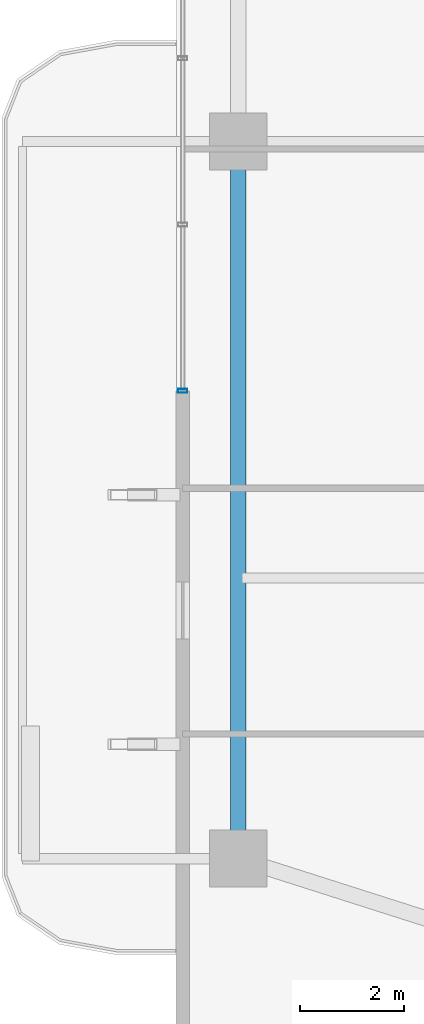
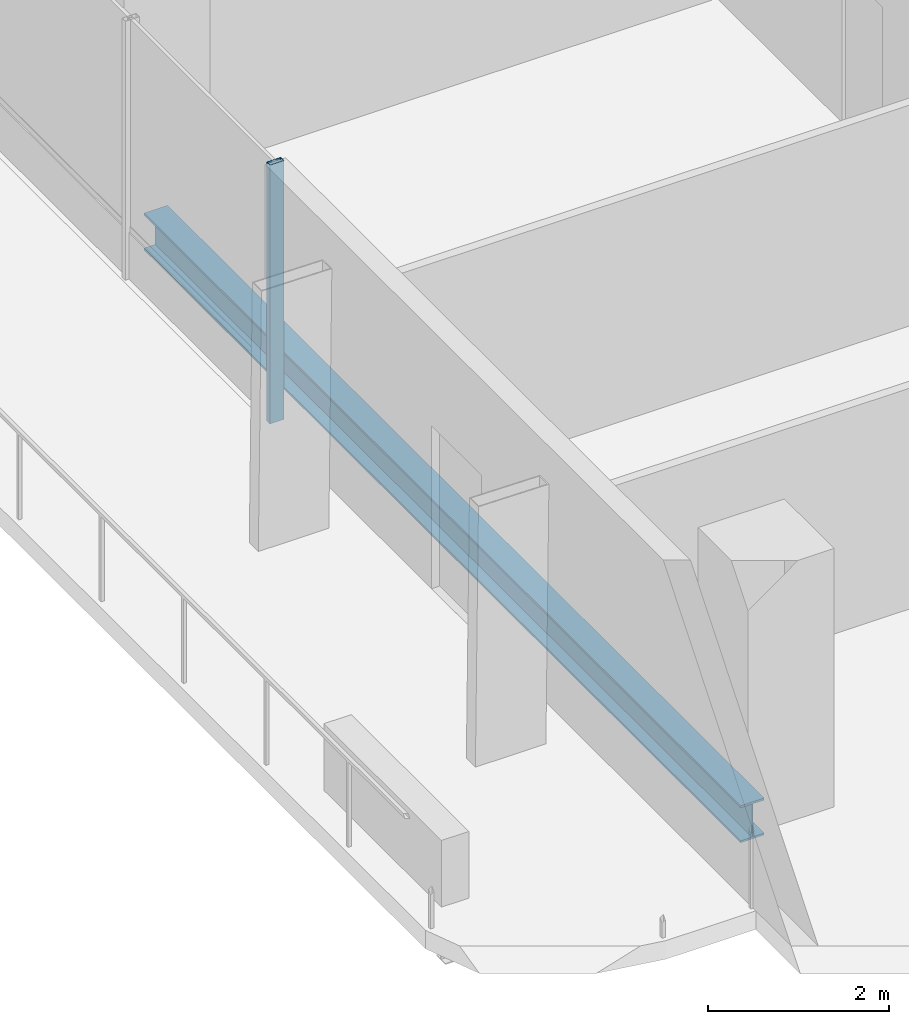
# One storey, part 4 of 24: 1 beam, 1 member, 1 element without a shape of its own.
"""IFC4 building model written with IfcOpenShell, lengths in metres."""

from ifc_helpers import new_model, si_unit, direction, frame, origin, origin_2d, place, context, subcontext, project, spatial, hollow_rectangle, i_section, extrude, material, layer, layer_set, material_profile, profile_set, type_object, element, aggregate, save


model = new_model("IFC4")

# Units and contexts
model_context = context("Model", 3, precision=1e-05, world=origin(), true_north=direction((0.0, 1.0)))
body_context = subcontext(model_context, "Body", "Model", "MODEL_VIEW")
ifc_project = project(units=[si_unit("LENGTHUNIT", "METRE"), si_unit("AREAUNIT", "SQUARE_METRE"), si_unit("VOLUMEUNIT", "CUBIC_METRE"), si_unit("PLANEANGLEUNIT", "RADIAN"), si_unit("MASSUNIT", "GRAM", prefix="KILO")], contexts=[model_context])

# Site, building, storey
site_placement = place(None, origin())
site = spatial("IfcSite", under=ifc_project, at=site_placement, CompositionType="ELEMENT")
building_placement = place(site_placement, origin())
building = spatial("IfcBuilding", under=site, at=building_placement, Name="Belovzor Exchange Tower", CompositionType="ELEMENT")
storey_placement = place(building_placement, frame((0.0, 0.0, 179.550048828125)))
storey = spatial("IfcBuildingStorey", under=building, at=storey_placement, Name="L44", CompositionType="ELEMENT", Elevation=179.550048828125)

# Curtain wall, member
ifc_material_1 = material(Name="Anodised Aluminium Framing", Category="aluminium")
ifc_layer = layer(ifc_material_1, 0.179931640625)
ifc_layer_set = layer_set([ifc_layer], Name="Anodised Aluminium Framing")
curtain_wall_type = type_object("IfcCurtainWallType", Name="Recessed Loggia Low-Iron Triple-Glazed Curtain Wall", PredefinedType="NOTDEFINED", material=ifc_layer_set)
curtain_wall_placement = place(storey_placement, origin())
curtain_wall = element("IfcCurtainWall", 1, at=curtain_wall_placement, inside=storey, type_object=curtain_wall_type, Name="CW3 Recessed Loggia Low-Iron Triple-Glazed Curtain Wall L44", PredefinedType="NOTDEFINED")
ifc_material_2 = material(Name="Steel S355", Category="steel")
ifc_material_profile_1 = material_profile(ifc_material_2, hollow_rectangle(XDim=0.074951171875, YDim=0.179931640625, WallThickness=0.0048828125, at=origin_2d()))
ifc_profile_set_1 = profile_set([ifc_material_profile_1], Name="Steel S355")
member_type = type_object("IfcMemberType", Name="Thermally Broken Curtain Wall Mullion 180x75", PredefinedType="MULLION", material=ifc_profile_set_1)
member_placement = place(storey_placement, frame((4.6298828125, 24.0, 0.0), z_axis=(0.0, 0.0, 1.0), x_axis=(0.0, 1.0, 0.0)))
member = element("IfcMember", 2, at=member_placement, type_object=member_type, Name="CW-M180 Curtain Wall Mullion 1", PredefinedType="MULLION", context=body_context, shape_type="SweptSolid", body=[
    extrude(hollow_rectangle(XDim=0.074951171875, YDim=0.179931640625, WallThickness=0.0048828125, at=origin_2d()), origin(), (0.0, 0.0, 1.0), 3.494873046875),
])
aggregate(curtain_wall, [member])

# Beam
ifc_material_3 = material(Name="Steel S355", Category="steel")
ifc_material_profile_2 = material_profile(ifc_material_3, i_section(OverallWidth=0.300048828125, OverallDepth=0.5, WebThickness=0.014404296875, FlangeThickness=0.028076171875, at=origin_2d()))
ifc_profile_set_2 = profile_set([ifc_material_profile_2], Name="Steel S355")
beam_type = type_object("IfcBeamType", Name="Zone 3 Waist Primary Girder HEB 500", PredefinedType="BEAM", material=ifc_profile_set_2)
beam_placement = place(storey_placement, frame((5.699951171875, 28.498046875, -0.505126953125), z_axis=(0.0, -1.0, 0.0), x_axis=(1.0, 0.0, 0.0)))
element("IfcBeam", 3, at=beam_placement, inside=storey, type_object=beam_type, Name="FG-Z3 Zone 3 Waist Primary Girder HEB 500", PredefinedType="BEAM", context=body_context, shape_type="SweptSolid", body=[
    extrude(i_section(OverallWidth=0.300048828125, OverallDepth=0.5, WebThickness=0.014404296875, FlangeThickness=0.028076171875, at=origin_2d()), origin(), (0.0, 0.0, 1.0), 13.195068359375),
])

save(model, "model.ifc")
